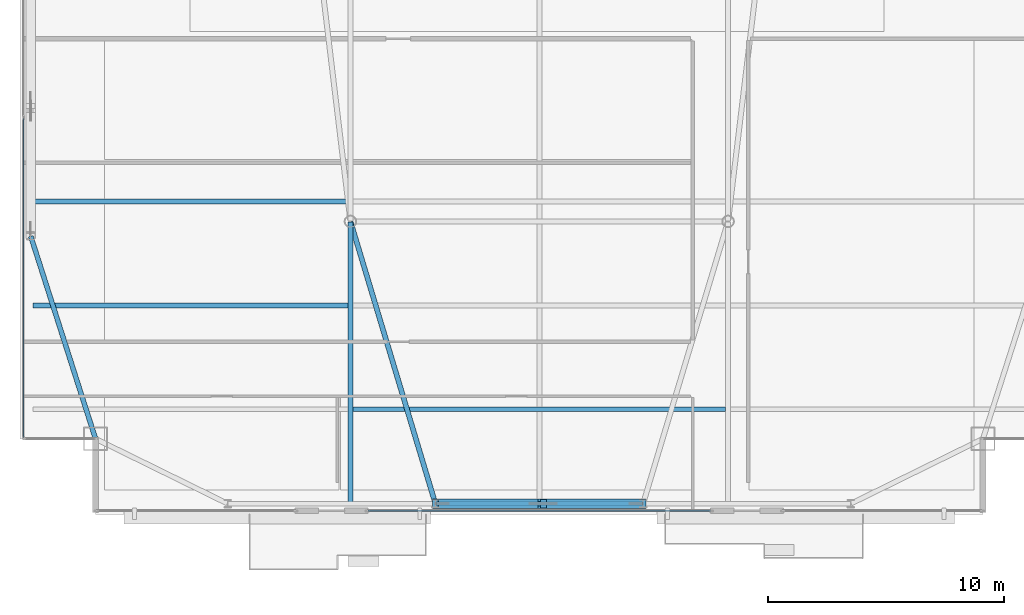
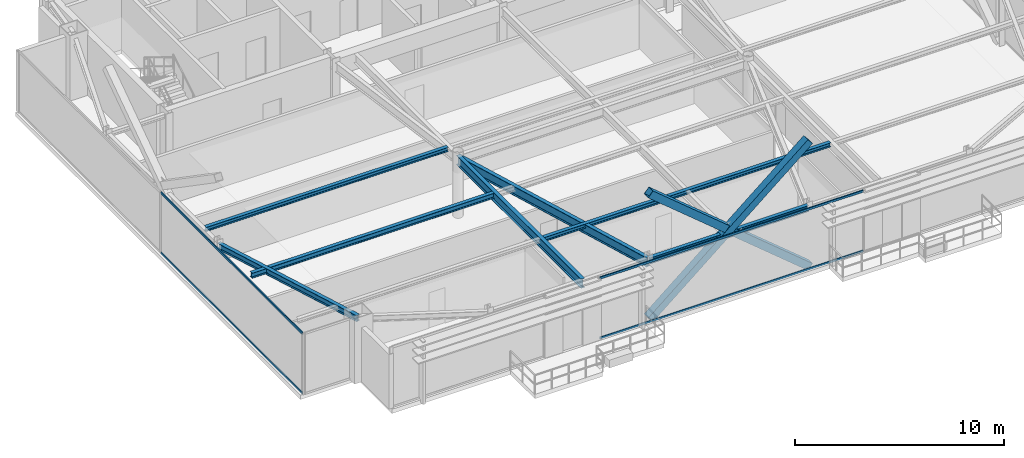
# One storey, part 6 of 25: 7 beams, 7 members, 2 elements without a shape of their own.
"""IFC4 building model written with IfcOpenShell, lengths in metres."""

from ifc_helpers import new_model, si_unit, direction, frame, origin, origin_2d, place, context, subcontext, project, spatial, hollow_rectangle, i_section, extrude, source, transform, mapped, material, layer, layer_set, material_profile, profile_set, type_object, type_shapes, element, aggregate, save


model = new_model("IFC4")

# Units and contexts
model_context = context("Model", 3, precision=1e-05, world=origin(), true_north=direction((0.0, 1.0)))
body_context = subcontext(model_context, "Body", "Model", "MODEL_VIEW")
ifc_project = project(units=[si_unit("LENGTHUNIT", "METRE"), si_unit("AREAUNIT", "SQUARE_METRE"), si_unit("VOLUMEUNIT", "CUBIC_METRE"), si_unit("PLANEANGLEUNIT", "RADIAN"), si_unit("MASSUNIT", "GRAM", prefix="KILO")], contexts=[model_context])

# Site, building, storey
site_placement = place(None, origin())
site = spatial("IfcSite", under=ifc_project, at=site_placement, CompositionType="ELEMENT")
building_placement = place(site_placement, origin())
building = spatial("IfcBuilding", under=site, at=building_placement, Name="Varnel Quay Broadcast Tower", CompositionType="ELEMENT")
storey_placement = place(building_placement, frame((0.0, 0.0, 288.800048828125)))
storey = spatial("IfcBuildingStorey", under=building, at=storey_placement, Name="L72", CompositionType="ELEMENT", Elevation=288.800048828125)

# Beams
ifc_material_1 = material(Name="Structural Steel CSA G40.21 350W", Category="steel")
ifc_material_profile_1 = material_profile(ifc_material_1, i_section(OverallWidth=0.205078125, OverallDepth=0.35400390625, WebThickness=0.009521484375, FlangeThickness=0.016845703125, FilletRadius=0.012939453125, at=origin_2d()), Name="W360X79")
ifc_profile_set_1 = profile_set([ifc_material_profile_1], Name="Structural Steel CSA G40.21 350W")
beam_type_1 = type_object("IfcBeamType", Name="Beam_W360X79", PredefinedType="SPANDREL", material=ifc_profile_set_1)
shared_shape_1 = source(origin(), body_context, "Body", "SweptSolid", [
    extrude(i_section(OverallWidth=0.205078125, OverallDepth=0.35400390625, WebThickness=0.009521484375, FlangeThickness=0.016845703125, FilletRadius=0.012939453125, at=origin_2d()), origin(), (0.0, 0.0, 1.0), 8.759765625),
])
beam_1_placement = place(storey_placement, frame((29.6201171875, 13.64990234375, 3.373046875), z_axis=(1.0, 0.0, 0.0), x_axis=(0.0, 1.0, 0.0)))
element("IfcBeam", 1, at=beam_1_placement, inside=storey, type_object=beam_type_1, Name="L72 South Spandrel TC-S2-TC-S3", PredefinedType="SPANDREL", context=body_context, shape_type="MappedRepresentation", body=[
    mapped(shared_shape_1, transform((0.0, 0.0, 0.0), x_axis=(1.0, 0.0, 0.0), y_axis=(0.0, 1.0, 0.0), z_axis=(0.0, 0.0, 1.0), scale=1.0)),
])
shared_shape_2 = source(origin(), body_context, "Body", "SweptSolid", [
    extrude(i_section(OverallWidth=0.205078125, OverallDepth=0.35400390625, WebThickness=0.009521484375, FlangeThickness=0.016845703125, FilletRadius=0.012939453125, at=origin_2d()), origin(), (0.0, 0.0, 1.0), 8.989013671875),
])
type_shapes(beam_type_1, [shared_shape_1, shared_shape_2])
beam_2_placement = place(storey_placement, frame((15.19384765625, 16.4189453125, 3.373046875), z_axis=(-0.304568770162, 0.952490348635, 0.0), x_axis=(-0.952490348635, -0.304568770162, 0.0)))
element("IfcBeam", 2, at=beam_2_placement, inside=storey, type_object=beam_type_1, Name="L72 West Spandrel MC-SW-TC-W1", PredefinedType="SPANDREL", context=body_context, shape_type="MappedRepresentation", body=[
    mapped(shared_shape_2, transform((0.0, 0.0, 0.0), x_axis=(1.0, 0.0, 0.0), y_axis=(0.0, 1.0, 0.0), z_axis=(0.0, 0.0, 1.0), scale=1.0)),
])
ifc_material_profile_2 = material_profile(ifc_material_1, i_section(OverallWidth=0.2119140625, OverallDepth=0.5439453125, WebThickness=0.01318359375, FlangeThickness=0.021240234375, FilletRadius=0.013916015625, at=origin_2d()), Name="W530X123")
ifc_profile_set_2 = profile_set([ifc_material_profile_2], Name="Structural Steel CSA G40.21 350W")
beam_type_2 = type_object("IfcBeamType", Name="Girder_W530X123", PredefinedType="BEAM", material=ifc_profile_set_2)
shared_shape_3 = source(origin(), body_context, "Body", "SweptSolid", [
    extrude(i_section(OverallWidth=0.2119140625, OverallDepth=0.5439453125, WebThickness=0.01318359375, FlangeThickness=0.021240234375, FilletRadius=0.013916015625, at=origin_2d()), origin(), (0.0, 0.0, 1.0), 12.449951171875),
])
beam_3_placement = place(storey_placement, frame((29.59423828125, 13.669189453125, 3.27783203125), z_axis=(-0.28822390679, 0.957563042078, 0.0), x_axis=(-0.957563042078, -0.28822390679, 0.0)))
element("IfcBeam", 3, at=beam_3_placement, inside=storey, type_object=beam_type_2, Name="L72 Primary Girder TC-S2-IC-01", PredefinedType="BEAM", context=body_context, shape_type="MappedRepresentation", body=[
    mapped(shared_shape_3, transform((0.0, 0.0, 0.0), x_axis=(1.0, 0.0, 0.0), y_axis=(0.0, 1.0, 0.0), z_axis=(0.0, 0.0, 1.0), scale=1.0)),
])
shared_shape_4 = source(origin(), body_context, "Body", "SweptSolid", [
    extrude(i_section(OverallWidth=0.2119140625, OverallDepth=0.5439453125, WebThickness=0.01318359375, FlangeThickness=0.021240234375, FilletRadius=0.013916015625, at=origin_2d()), origin(), (0.0, 0.0, 1.0), 11.920166015625),
])
type_shapes(beam_type_2, [shared_shape_3, shared_shape_4])
beam_4_placement = place(storey_placement, frame((26.0, 13.669921875, 3.27783203125), z_axis=(0.0, 1.0, 0.0), x_axis=(-1.0, 0.0, 0.0)))
element("IfcBeam", 4, at=beam_4_placement, inside=storey, type_object=beam_type_2, Name="L72 N-S Joist Header IC-01S", PredefinedType="BEAM", context=body_context, shape_type="MappedRepresentation", body=[
    mapped(shared_shape_4, transform((0.0, 0.0, 0.0), x_axis=(1.0, 0.0, 0.0), y_axis=(0.0, 1.0, 0.0), z_axis=(0.0, 0.0, 1.0), scale=1.0)),
])
ifc_material_profile_3 = material_profile(ifc_material_1, i_section(OverallWidth=0.201904296875, OverallDepth=0.2470703125, WebThickness=0.00732421875, FlangeThickness=0.010986328125, FilletRadius=0.010986328125, at=origin_2d()), Name="W250X49")
ifc_profile_set_3 = profile_set([ifc_material_profile_3], Name="Structural Steel CSA G40.21 350W")
beam_type_3 = type_object("IfcBeamType", Name="Beam_W250X49", PredefinedType="JOIST", material=ifc_profile_set_3)
shared_shape_5 = source(origin(), body_context, "Body", "SweptSolid", [
    extrude(i_section(OverallWidth=0.201904296875, OverallDepth=0.2470703125, WebThickness=0.00732421875, FlangeThickness=0.010986328125, FilletRadius=0.010986328125, at=origin_2d()), origin(), (0.0, 0.0, 1.0), 13.351318359375),
])
beam_5_placement = place(storey_placement, frame((12.547607421875, 26.449951171875, 3.426513671875), z_axis=(1.0, 0.0, 0.0), x_axis=(0.0, 1.0, 0.0)))
element("IfcBeam", 5, at=beam_5_placement, inside=storey, type_object=beam_type_3, Name="L72 West Floor Joist 3", PredefinedType="JOIST", context=body_context, shape_type="MappedRepresentation", body=[
    mapped(shared_shape_5, transform((0.0, 0.0, 0.0), x_axis=(1.0, 0.0, 0.0), y_axis=(0.0, 1.0, 0.0), z_axis=(0.0, 0.0, 1.0), scale=1.0)),
])
shared_shape_6 = source(origin(), body_context, "Body", "SweptSolid", [
    extrude(i_section(OverallWidth=0.201904296875, OverallDepth=0.2470703125, WebThickness=0.00732421875, FlangeThickness=0.010986328125, FilletRadius=0.010986328125, at=origin_2d()), origin(), (0.0, 0.0, 1.0), 15.7978515625),
])
type_shapes(beam_type_3, [shared_shape_5, shared_shape_6])
beam_6_placement = place(storey_placement, frame((26.10107421875, 17.64990234375, 3.426513671875), z_axis=(1.0, 0.0, 0.0), x_axis=(0.0, 1.0, 0.0)))
element("IfcBeam", 6, at=beam_6_placement, inside=storey, type_object=beam_type_3, Name="L72 Central Floor Joist 1", PredefinedType="JOIST", context=body_context, shape_type="MappedRepresentation", body=[
    mapped(shared_shape_6, transform((0.0, 0.0, 0.0), x_axis=(1.0, 0.0, 0.0), y_axis=(0.0, 1.0, 0.0), z_axis=(0.0, 0.0, 1.0), scale=1.0)),
])
ifc_material_profile_4 = material_profile(ifc_material_1, i_section(OverallWidth=0.202880859375, OverallDepth=0.302978515625, WebThickness=0.007568359375, FlangeThickness=0.01318359375, FilletRadius=0.011962890625, at=origin_2d()), Name="W310X60")
ifc_profile_set_4 = profile_set([ifc_material_profile_4], Name="Structural Steel CSA G40.21 350W")
beam_type_4 = type_object("IfcBeamType", Name="Beam_W310X60", PredefinedType="JOIST", material=ifc_profile_set_4)
shared_shape_7 = source(origin(), body_context, "Body", "SweptSolid", [
    extrude(i_section(OverallWidth=0.202880859375, OverallDepth=0.302978515625, WebThickness=0.007568359375, FlangeThickness=0.01318359375, FilletRadius=0.011962890625, at=origin_2d()), origin(), (0.0, 0.0, 1.0), 13.351318359375),
])
type_shapes(beam_type_4, [shared_shape_7])
beam_7_placement = place(storey_placement, frame((12.547607421875, 22.050048828125, 3.3984375), z_axis=(1.0, 0.0, 0.0), x_axis=(0.0, 1.0, 0.0)))
element("IfcBeam", 7, at=beam_7_placement, inside=storey, type_object=beam_type_4, Name="L72 West Floor Joist 2", PredefinedType="JOIST", context=body_context, shape_type="MappedRepresentation", body=[
    mapped(shared_shape_7, transform((0.0, 0.0, 0.0), x_axis=(1.0, 0.0, 0.0), y_axis=(0.0, 1.0, 0.0), z_axis=(0.0, 0.0, 1.0), scale=1.0)),
])

# Members
ifc_material_profile_5 = material_profile(ifc_material_1, hollow_rectangle(XDim=0.406005859375, YDim=0.406005859375, WallThickness=0.01611328125, at=origin_2d()), Name="HSS406X406X16")
ifc_profile_set_5 = profile_set([ifc_material_profile_5], Name="Structural Steel CSA G40.21 350W")
member_type_1 = type_object("IfcMemberType", Name="Brace_HSS406X406X16", PredefinedType="BRACE", material=ifc_profile_set_5)
shared_shape_8 = source(origin(), body_context, "Body", "SweptSolid", [
    extrude(hollow_rectangle(XDim=0.406005859375, YDim=0.406005859375, WallThickness=0.01611328125, at=origin_2d()), origin(), (0.0, 0.0, 1.0), 11.43994140625),
])
member_1_placement = place(storey_placement, frame((29.60009765625, 13.64990234375, 0.02001953125), z_axis=(0.76922442354, 0.0, 0.638978705615), x_axis=(0.0, 1.0, 0.0)))
element("IfcMember", 8, at=member_1_placement, inside=storey, type_object=member_type_1, Name="Zone 5 Mega-Brace S-C1T3 Continuous Diag A", PredefinedType="BRACE", context=body_context, shape_type="MappedRepresentation", body=[
    mapped(shared_shape_8, transform((0.0, 0.0, 0.0), x_axis=(1.0, 0.0, 0.0), y_axis=(0.0, 1.0, 0.0), z_axis=(0.0, 0.0, 1.0), scale=1.0)),
])
shared_shape_9 = source(origin(), body_context, "Body", "SweptSolid", [
    extrude(hollow_rectangle(XDim=0.406005859375, YDim=0.406005859375, WallThickness=0.01611328125, at=origin_2d()), origin(), (0.0, 0.0, 1.0), 5.488525390625),
])
type_shapes(member_type_1, [shared_shape_8, shared_shape_9])
for number, where, z_axis, x_axis, name in (
    (9, (38.39990234375, 13.64990234375, 0.02001953125), (-0.769222999894, 0.0, 0.638980419446), (0.0, -1.0, 0.0), "Zone 5 Mega-Brace S-C1T3 Split Diag B1"),
    (10, (33.822021484375, 13.64990234375, 3.82275390625), (-0.769222999894, 0.0, 0.638980419446), (0.0, -1.0, 0.0), "Zone 5 Mega-Brace S-C1T3 Split Diag B2"),
):
    element("IfcMember", number, at=place(storey_placement, frame(where, z_axis=z_axis, x_axis=x_axis)), inside=storey, type_object=member_type_1, Name=name, PredefinedType="BRACE", context=body_context, shape_type="MappedRepresentation", body=[
        mapped(shared_shape_9, transform((0.0, 0.0, 0.0), x_axis=(1.0, 0.0, 0.0), y_axis=(0.0, 1.0, 0.0), z_axis=(0.0, 0.0, 1.0), scale=1.0)),
    ])

# Curtain wall, members
ifc_material_2 = material(Name="Anodised Bronze Aluminium 6063-T6", Category="aluminium")
ifc_layer = layer(ifc_material_2, 0.18994140625, Name="Anodised Bronze Aluminium 6063-T6")
ifc_layer_set = layer_set([ifc_layer], Name="Anodised Bronze Aluminium 6063-T6")
curtain_wall_type = type_object("IfcCurtainWallType", Name="CW_UpperTower", PredefinedType="NOTDEFINED", material=ifc_layer_set)
curtain_wall_1_placement = place(storey_placement, origin())
curtain_wall_1 = element("IfcCurtainWall", 11, at=curtain_wall_1_placement, inside=storey, type_object=curtain_wall_type, Name="L72 West Unitised Curtain Wall", PredefinedType="NOTDEFINED")
ifc_material_profile_6 = material_profile(ifc_material_2, hollow_rectangle(XDim=0.06005859375, YDim=0.125, WallThickness=0.0029296875, at=origin_2d()), Name="ALU60X125X3")
ifc_profile_set_6 = profile_set([ifc_material_profile_6], Name="Anodised Bronze Aluminium 6063-T6")
member_type_2 = type_object("IfcMemberType", Name="Tran_CWS-03", PredefinedType="USERDEFINED", material=ifc_profile_set_6)
shared_shape_10 = source(origin(), body_context, "Body", "SweptSolid", [
    extrude(hollow_rectangle(XDim=0.06005859375, YDim=0.125, WallThickness=0.0029296875, at=origin_2d()), origin(), (0.0, 0.0, 1.0), 13.50244140625),
])
member_2_placement = place(storey_placement, frame((12.14990234375, 16.465087890625, 0.030029296875), z_axis=(0.0, 1.0, 0.0), x_axis=(-1.0, 0.0, 0.0)))
member_2 = element("IfcMember", 12, at=member_2_placement, type_object=member_type_2, Name="CWS-03 transom 1.1", ObjectType="TRANSOM", PredefinedType="USERDEFINED", context=body_context, shape_type="MappedRepresentation", body=[
    mapped(shared_shape_10, transform((0.0, 0.0, 0.0), x_axis=(1.0, 0.0, 0.0), y_axis=(0.0, 1.0, 0.0), z_axis=(0.0, 0.0, 1.0), scale=1.0)),
])
member_3_placement = place(storey_placement, frame((12.14990234375, 16.465087890625, 3.52001953125), z_axis=(0.0, 1.0, 0.0), x_axis=(-1.0, 0.0, 0.0)))
member_3 = element("IfcMember", 13, at=member_3_placement, type_object=member_type_2, Name="CWS-03 transom 1.2", ObjectType="TRANSOM", PredefinedType="USERDEFINED", context=body_context, shape_type="MappedRepresentation", body=[
    mapped(shared_shape_10, transform((0.0, 0.0, 0.0), x_axis=(1.0, 0.0, 0.0), y_axis=(0.0, 1.0, 0.0), z_axis=(0.0, 0.0, 1.0), scale=1.0)),
])
aggregate(curtain_wall_1, [member_2, member_3])

curtain_wall_2_placement = place(storey_placement, origin())
curtain_wall_2 = element("IfcCurtainWall", 14, at=curtain_wall_2_placement, inside=storey, type_object=curtain_wall_type, Name="L72 South Unitised Curtain Wall 2", PredefinedType="NOTDEFINED")
shared_shape_11 = source(origin(), body_context, "Body", "SweptSolid", [
    extrude(hollow_rectangle(XDim=0.06005859375, YDim=0.125, WallThickness=0.0029296875, at=origin_2d()), origin(), (0.0, 0.0, 1.0), 14.509765625),
])
type_shapes(member_type_2, [shared_shape_10, shared_shape_11])
member_4_placement = place(storey_placement, frame((26.7451171875, 13.35009765625, 0.030029296875), z_axis=(1.0, 0.0, 0.0), x_axis=(0.0, 1.0, 0.0)))
member_4 = element("IfcMember", 15, at=member_4_placement, type_object=member_type_2, Name="CWS-03 transom 1.1", ObjectType="TRANSOM", PredefinedType="USERDEFINED", context=body_context, shape_type="MappedRepresentation", body=[
    mapped(shared_shape_11, transform((0.0, 0.0, 0.0), x_axis=(1.0, 0.0, 0.0), y_axis=(0.0, 1.0, 0.0), z_axis=(0.0, 0.0, 1.0), scale=1.0)),
])
member_5_placement = place(storey_placement, frame((26.7451171875, 13.35009765625, 3.52001953125), z_axis=(1.0, 0.0, 0.0), x_axis=(0.0, 1.0, 0.0)))
member_5 = element("IfcMember", 16, at=member_5_placement, type_object=member_type_2, Name="CWS-03 transom 1.2", ObjectType="TRANSOM", PredefinedType="USERDEFINED", context=body_context, shape_type="MappedRepresentation", body=[
    mapped(shared_shape_11, transform((0.0, 0.0, 0.0), x_axis=(1.0, 0.0, 0.0), y_axis=(0.0, 1.0, 0.0), z_axis=(0.0, 0.0, 1.0), scale=1.0)),
])
aggregate(curtain_wall_2, [member_4, member_5])

save(model, "model.ifc")
